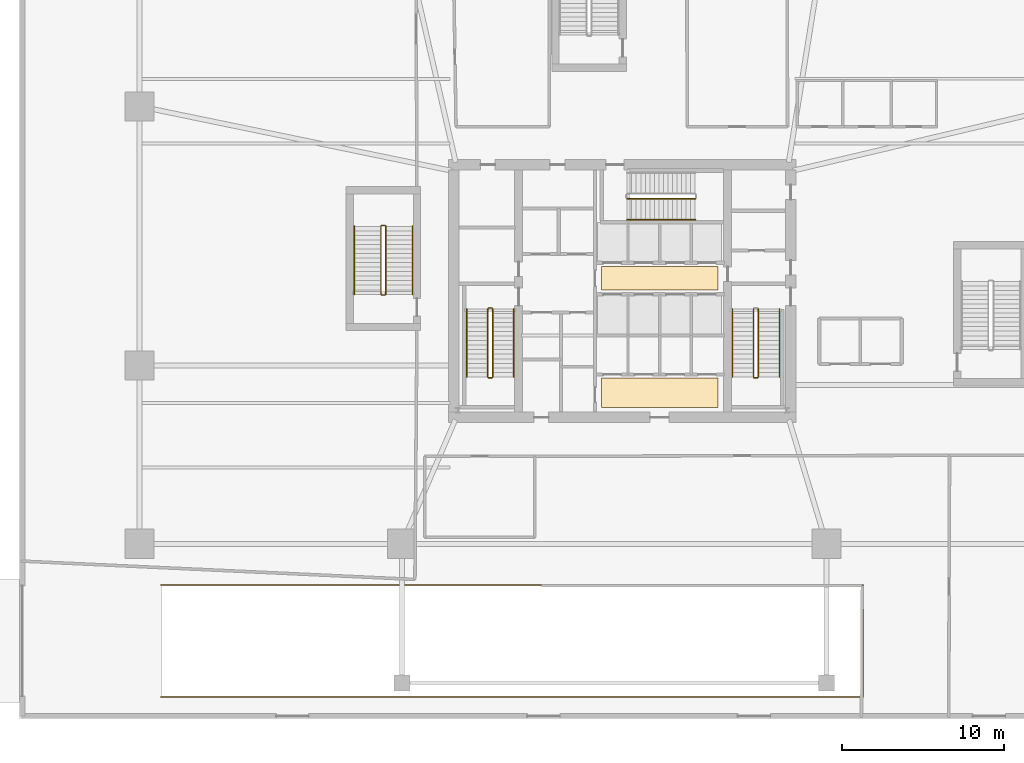
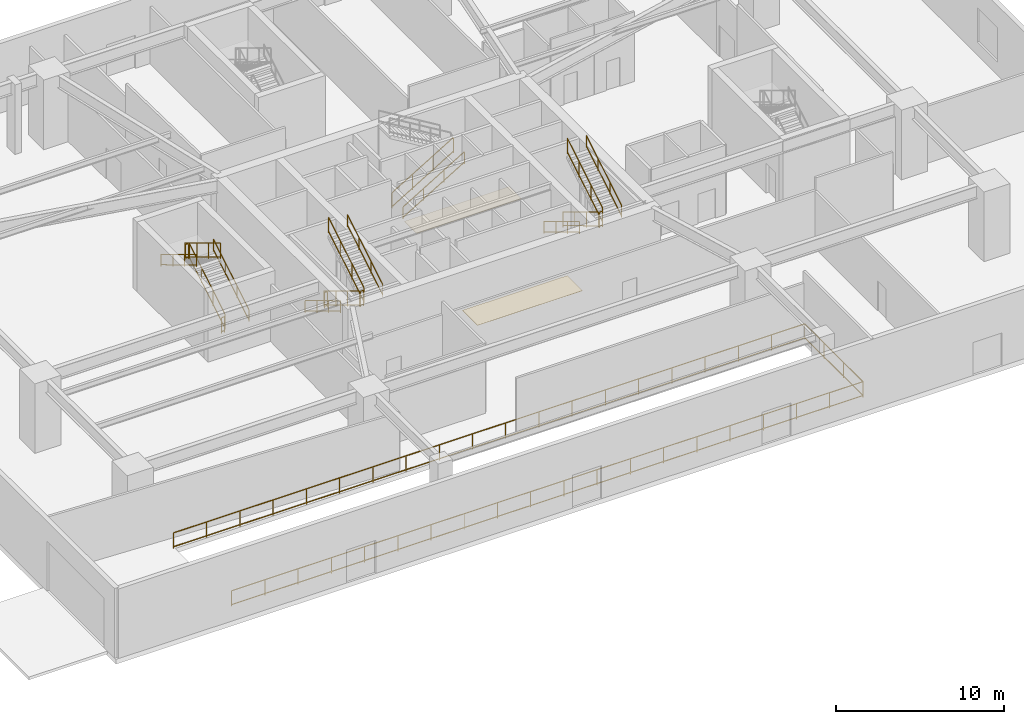
# One storey, part 10 of 13: 20 railings, 2 coverings.
"""IFC4 building model written with IfcOpenShell, lengths in metres."""

from ifc_helpers import new_model, si_unit, direction, frame, origin, origin_2d, place, context, subcontext, project, spatial, rectangle, extrude, material, layer, layer_set, type_object, element, save


model = new_model("IFC4")

# Units and contexts
model_context = context("Model", 3, precision=1e-05, world=origin(), true_north=direction((0.0, 1.0)))
body_context = subcontext(model_context, "Body", "Model", "MODEL_VIEW")
ifc_project = project(units=[si_unit("LENGTHUNIT", "METRE"), si_unit("AREAUNIT", "SQUARE_METRE"), si_unit("VOLUMEUNIT", "CUBIC_METRE"), si_unit("PLANEANGLEUNIT", "RADIAN"), si_unit("MASSUNIT", "GRAM", prefix="KILO")], contexts=[model_context])

# Site, building, storey
site_placement = place(None, origin())
site = spatial("IfcSite", under=ifc_project, at=site_placement, CompositionType="ELEMENT")
building_placement = place(site_placement, origin())
building = spatial("IfcBuilding", under=site, at=building_placement, Name="Qarnah Convention Tower", CompositionType="ELEMENT")
storey_placement = place(building_placement, origin())
storey = spatial("IfcBuildingStorey", under=building, at=storey_placement, Name="L00", CompositionType="ELEMENT", Elevation=0.0)

# Coverings
ifc_material_1 = material(Name="Mineral fibre acoustic ceiling")
ifc_layer_1 = layer(ifc_material_1, 0.02001953125)
ifc_layer_set_1 = layer_set([ifc_layer_1], Name="Mineral fibre acoustic ceiling")
covering_type_1 = type_object("IfcCoveringType", Name="COV-CEIL-20", PredefinedType="CEILING", material=ifc_layer_set_1)
covering_1_placement = place(storey_placement, frame((39.52001953125, 27.179931640625, 2.2900390625), z_axis=(0.0, 0.0, 1.0), x_axis=(1.0, 0.0, 0.0)))
element("IfcCovering", 1, at=covering_1_placement, inside=storey, type_object=covering_type_1, Name="L00 lift lobby acoustic ceiling", PredefinedType="CEILING", context=body_context, shape_type="SweptSolid", body=[
    extrude(rectangle(XDim=7.199951171875, YDim=1.449951171875, at=origin_2d()), origin(), (0.0, 0.0, 1.0), 0.02001953125),
])
ifc_material_2 = material(Name="Porcelain stone floor tile", Category="masonry")
ifc_layer_2 = layer(ifc_material_2, 0.02001953125)
ifc_layer_set_2 = layer_set([ifc_layer_2], Name="Porcelain stone floor tile")
covering_type_2 = type_object("IfcCoveringType", Name="COV-FLOOR-20", PredefinedType="FLOORING", material=ifc_layer_set_2)
covering_2_placement = place(storey_placement, frame((39.52001953125, 20.1201171875, 0.0), z_axis=(0.0, 0.0, 1.0), x_axis=(1.0, 0.0, 0.0)))
element("IfcCovering", 2, at=covering_2_placement, inside=storey, type_object=covering_type_2, Name="L00 lift lobby porcelain stone flooring", PredefinedType="FLOORING", context=body_context, shape_type="SweptSolid", body=[
    extrude(rectangle(XDim=7.199951171875, YDim=1.800048828125, at=origin_2d()), origin(), (0.0, 0.0, 1.0), 0.02001953125),
])

# Railings
ifc_material_3 = material(Name="Black anodised aluminium", Category="aluminium")
railing_type_1 = type_object("IfcRailingType", Name="RL-EXT-GUARD-1150", PredefinedType="GUARDRAIL", material=ifc_material_3)
railing_1_placement = place(storey_placement, frame((8.719970703125, 8.260009765625, 0.0)))
element("IfcRailing", 3, at=railing_1_placement, inside=storey, type_object=railing_type_1, Name="L00 vehicle ramp void safety guard", PredefinedType="GUARDRAIL", context=body_context, shape_type="SweptSolid", body=[
    extrude(rectangle(XDim=0.048095703125, YDim=0.048095703125, at=origin_2d()), frame((0.0, 0.0, 1.1259765625), z_axis=(1.0, 0.0, 0.0), x_axis=(0.0, 1.0, 0.0)), (0.0, 0.0, 1.0), 43.340087890625),
    extrude(rectangle(XDim=0.048095703125, YDim=0.048095703125, at=origin_2d()), frame((0.0, 0.0, 0.1201171875), z_axis=(1.0, 0.0, 0.0), x_axis=(0.0, 1.0, 0.0)), (0.0, 0.0, 1.0), 43.340087890625),
    extrude(rectangle(XDim=0.048095703125, YDim=0.048095703125, at=origin_2d()), frame((43.340087890625, 0.0, 1.1259765625), z_axis=(0.0, -1.0, 0.0), x_axis=(1.0, 0.0, 0.0)), (0.0, 0.0, 1.0), 6.919921875),
    extrude(rectangle(XDim=0.048095703125, YDim=0.048095703125, at=origin_2d()), frame((43.340087890625, 0.0, 0.1201171875), z_axis=(0.0, -1.0, 0.0), x_axis=(1.0, 0.0, 0.0)), (0.0, 0.0, 1.0), 6.919921875),
    extrude(rectangle(XDim=0.048095703125, YDim=0.048095703125, at=origin_2d()), frame((43.340087890625, -6.919921875, 1.1259765625), z_axis=(-1.0, 0.0, 0.0), x_axis=(0.0, -1.0, 0.0)), (0.0, 0.0, 1.0), 43.340087890625),
    extrude(rectangle(XDim=0.048095703125, YDim=0.048095703125, at=origin_2d()), frame((43.340087890625, -6.919921875, 0.1201171875), z_axis=(-1.0, 0.0, 0.0), x_axis=(0.0, -1.0, 0.0)), (0.0, 0.0, 1.0), 43.340087890625),
    extrude(rectangle(XDim=0.0419921875, YDim=0.0419921875, at=origin_2d()), origin(), (0.0, 0.0, 1.0), 1.101806640625),
    extrude(rectangle(XDim=0.0419921875, YDim=0.0419921875, at=origin_2d()), frame((2.281005859375, 0.0, 0.0)), (0.0, 0.0, 1.0), 1.101806640625),
    extrude(rectangle(XDim=0.0419921875, YDim=0.0419921875, at=origin_2d()), frame((4.56201171875, 0.0, 0.0)), (0.0, 0.0, 1.0), 1.101806640625),
    extrude(rectangle(XDim=0.0419921875, YDim=0.0419921875, at=origin_2d()), frame((6.84326171875, 0.0, 0.0)), (0.0, 0.0, 1.0), 1.101806640625),
    extrude(rectangle(XDim=0.0419921875, YDim=0.0419921875, at=origin_2d()), frame((9.124267578125, 0.0, 0.0)), (0.0, 0.0, 1.0), 1.101806640625),
    extrude(rectangle(XDim=0.0419921875, YDim=0.0419921875, at=origin_2d()), frame((11.4052734375, 0.0, 0.0)), (0.0, 0.0, 1.0), 1.101806640625),
    extrude(rectangle(XDim=0.0419921875, YDim=0.0419921875, at=origin_2d()), frame((13.686279296875, 0.0, 0.0)), (0.0, 0.0, 1.0), 1.101806640625),
    extrude(rectangle(XDim=0.0419921875, YDim=0.0419921875, at=origin_2d()), frame((15.96728515625, 0.0, 0.0)), (0.0, 0.0, 1.0), 1.101806640625),
    extrude(rectangle(XDim=0.0419921875, YDim=0.0419921875, at=origin_2d()), frame((18.24853515625, 0.0, 0.0)), (0.0, 0.0, 1.0), 1.101806640625),
    extrude(rectangle(XDim=0.0419921875, YDim=0.0419921875, at=origin_2d()), frame((20.529541015625, 0.0, 0.0)), (0.0, 0.0, 1.0), 1.101806640625),
    extrude(rectangle(XDim=0.0419921875, YDim=0.0419921875, at=origin_2d()), frame((22.810546875, 0.0, 0.0)), (0.0, 0.0, 1.0), 1.101806640625),
    extrude(rectangle(XDim=0.0419921875, YDim=0.0419921875, at=origin_2d()), frame((25.091552734375, 0.0, 0.0)), (0.0, 0.0, 1.0), 1.101806640625),
    extrude(rectangle(XDim=0.0419921875, YDim=0.0419921875, at=origin_2d()), frame((27.372802734375, 0.0, 0.0)), (0.0, 0.0, 1.0), 1.101806640625),
    extrude(rectangle(XDim=0.0419921875, YDim=0.0419921875, at=origin_2d()), frame((29.65380859375, 0.0, 0.0)), (0.0, 0.0, 1.0), 1.101806640625),
    extrude(rectangle(XDim=0.0419921875, YDim=0.0419921875, at=origin_2d()), frame((31.934814453125, 0.0, 0.0)), (0.0, 0.0, 1.0), 1.101806640625),
    extrude(rectangle(XDim=0.0419921875, YDim=0.0419921875, at=origin_2d()), frame((34.2158203125, 0.0, 0.0)), (0.0, 0.0, 1.0), 1.101806640625),
    extrude(rectangle(XDim=0.0419921875, YDim=0.0419921875, at=origin_2d()), frame((36.496826171875, 0.0, 0.0)), (0.0, 0.0, 1.0), 1.101806640625),
    extrude(rectangle(XDim=0.0419921875, YDim=0.0419921875, at=origin_2d()), frame((38.778076171875, 0.0, 0.0)), (0.0, 0.0, 1.0), 1.101806640625),
    extrude(rectangle(XDim=0.0419921875, YDim=0.0419921875, at=origin_2d()), frame((41.05908203125, 0.0, 0.0)), (0.0, 0.0, 1.0), 1.101806640625),
    extrude(rectangle(XDim=0.0419921875, YDim=0.0419921875, at=origin_2d()), frame((43.340087890625, 0.0, 0.0)), (0.0, 0.0, 1.0), 1.101806640625),
    extrude(rectangle(XDim=0.0419921875, YDim=0.0419921875, at=origin_2d()), frame((43.340087890625, -2.306640625, 0.0)), (0.0, 0.0, 1.0), 1.101806640625),
    extrude(rectangle(XDim=0.0419921875, YDim=0.0419921875, at=origin_2d()), frame((43.340087890625, -4.61328125, 0.0)), (0.0, 0.0, 1.0), 1.101806640625),
    extrude(rectangle(XDim=0.0419921875, YDim=0.0419921875, at=origin_2d()), frame((43.340087890625, -6.919921875, 0.0)), (0.0, 0.0, 1.0), 1.101806640625),
    extrude(rectangle(XDim=0.0419921875, YDim=0.0419921875, at=origin_2d()), frame((41.05908203125, -6.919921875, 0.0)), (0.0, 0.0, 1.0), 1.101806640625),
    extrude(rectangle(XDim=0.0419921875, YDim=0.0419921875, at=origin_2d()), frame((38.778076171875, -6.919921875, 0.0)), (0.0, 0.0, 1.0), 1.101806640625),
    extrude(rectangle(XDim=0.0419921875, YDim=0.0419921875, at=origin_2d()), frame((36.496826171875, -6.919921875, 0.0)), (0.0, 0.0, 1.0), 1.101806640625),
    extrude(rectangle(XDim=0.0419921875, YDim=0.0419921875, at=origin_2d()), frame((34.2158203125, -6.919921875, 0.0)), (0.0, 0.0, 1.0), 1.101806640625),
    extrude(rectangle(XDim=0.0419921875, YDim=0.0419921875, at=origin_2d()), frame((31.934814453125, -6.919921875, 0.0)), (0.0, 0.0, 1.0), 1.101806640625),
    extrude(rectangle(XDim=0.0419921875, YDim=0.0419921875, at=origin_2d()), frame((29.65380859375, -6.919921875, 0.0)), (0.0, 0.0, 1.0), 1.101806640625),
    extrude(rectangle(XDim=0.0419921875, YDim=0.0419921875, at=origin_2d()), frame((27.372802734375, -6.919921875, 0.0)), (0.0, 0.0, 1.0), 1.101806640625),
    extrude(rectangle(XDim=0.0419921875, YDim=0.0419921875, at=origin_2d()), frame((25.091552734375, -6.919921875, 0.0)), (0.0, 0.0, 1.0), 1.101806640625),
    extrude(rectangle(XDim=0.0419921875, YDim=0.0419921875, at=origin_2d()), frame((22.810546875, -6.919921875, 0.0)), (0.0, 0.0, 1.0), 1.101806640625),
    extrude(rectangle(XDim=0.0419921875, YDim=0.0419921875, at=origin_2d()), frame((20.529541015625, -6.919921875, 0.0)), (0.0, 0.0, 1.0), 1.101806640625),
    extrude(rectangle(XDim=0.0419921875, YDim=0.0419921875, at=origin_2d()), frame((18.24853515625, -6.919921875, 0.0)), (0.0, 0.0, 1.0), 1.101806640625),
    extrude(rectangle(XDim=0.0419921875, YDim=0.0419921875, at=origin_2d()), frame((15.96728515625, -6.919921875, 0.0)), (0.0, 0.0, 1.0), 1.101806640625),
    extrude(rectangle(XDim=0.0419921875, YDim=0.0419921875, at=origin_2d()), frame((13.686279296875, -6.919921875, 0.0)), (0.0, 0.0, 1.0), 1.101806640625),
    extrude(rectangle(XDim=0.0419921875, YDim=0.0419921875, at=origin_2d()), frame((11.4052734375, -6.919921875, 0.0)), (0.0, 0.0, 1.0), 1.101806640625),
    extrude(rectangle(XDim=0.0419921875, YDim=0.0419921875, at=origin_2d()), frame((9.124267578125, -6.919921875, 0.0)), (0.0, 0.0, 1.0), 1.101806640625),
    extrude(rectangle(XDim=0.0419921875, YDim=0.0419921875, at=origin_2d()), frame((6.84326171875, -6.919921875, 0.0)), (0.0, 0.0, 1.0), 1.101806640625),
    extrude(rectangle(XDim=0.0419921875, YDim=0.0419921875, at=origin_2d()), frame((4.56201171875, -6.919921875, 0.0)), (0.0, 0.0, 1.0), 1.101806640625),
    extrude(rectangle(XDim=0.0419921875, YDim=0.0419921875, at=origin_2d()), frame((2.281005859375, -6.919921875, 0.0)), (0.0, 0.0, 1.0), 1.101806640625),
    extrude(rectangle(XDim=0.0419921875, YDim=0.0419921875, at=origin_2d()), frame((0.0, -6.919921875, 0.0)), (0.0, 0.0, 1.0), 1.101806640625),
])
ifc_material_4 = material(Name="Structural steel S355JR", Category="steel")
railing_type_2 = type_object("IfcRailingType", Name="RL-STAIR-GUARD-1150", PredefinedType="GUARDRAIL", material=ifc_material_4)
railing_2_placement = place(storey_placement, frame((28.89990234375, 25.300048828125, 0.168701171875)))
element("IfcRailing", 4, at=railing_2_placement, inside=storey, type_object=railing_type_2, Name="L00 ST-1 stair guard 1", PredefinedType="GUARDRAIL", context=body_context, shape_type="SweptSolid", body=[
    extrude(rectangle(XDim=0.048095703125, YDim=0.048095703125, at=origin_2d()), frame((0.0, 0.0, 1.1259765625), z_axis=(0.0, -0.856476492594, 0.516186030065), x_axis=(1.0, 0.0, 0.0)), (0.0, 0.0, 1.0), 4.90380859375),
    extrude(rectangle(XDim=0.048095703125, YDim=0.048095703125, at=origin_2d()), frame((0.0, 0.0, 0.1201171875), z_axis=(0.0, -0.856476492594, 0.516186030065), x_axis=(1.0, 0.0, 0.0)), (0.0, 0.0, 1.0), 4.90380859375),
    extrude(rectangle(XDim=0.0419921875, YDim=0.0419921875, at=origin_2d()), origin(), (0.0, 0.0, 1.0), 1.101806640625),
    extrude(rectangle(XDim=0.0419921875, YDim=0.0419921875, at=origin_2d()), frame((0.0, -1.39990234375, 0.84375)), (0.0, 0.0, 1.0), 1.101806640625),
    extrude(rectangle(XDim=0.0419921875, YDim=0.0419921875, at=origin_2d()), frame((0.0, -2.800048828125, 1.6875)), (0.0, 0.0, 1.0), 1.101806640625),
    extrude(rectangle(XDim=0.0419921875, YDim=0.0419921875, at=origin_2d()), frame((0.0, -4.199951171875, 2.53125)), (0.0, 0.0, 1.0), 1.101806640625),
])
railing_3_placement = place(storey_placement, frame((28.949951171875, 21.050048828125, 2.699951171875)))
element("IfcRailing", 5, at=railing_3_placement, inside=storey, type_object=railing_type_2, Name="L00 ST-1 stair guard 2", PredefinedType="GUARDRAIL", context=body_context, shape_type="SweptSolid", body=[
    extrude(rectangle(XDim=0.048095703125, YDim=0.048095703125, at=origin_2d()), frame((0.0, 0.0, 1.1259765625), z_axis=(1.0, 0.0, 0.0), x_axis=(0.0, 1.0, 0.0)), (0.0, 0.0, 1.0), 0.199951171875),
    extrude(rectangle(XDim=0.048095703125, YDim=0.048095703125, at=origin_2d()), frame((0.0, 0.0, 0.1201171875), z_axis=(1.0, 0.0, 0.0), x_axis=(0.0, 1.0, 0.0)), (0.0, 0.0, 1.0), 0.199951171875),
    extrude(rectangle(XDim=0.0419921875, YDim=0.0419921875, at=origin_2d()), origin(), (0.0, 0.0, 1.0), 1.101806640625),
    extrude(rectangle(XDim=0.0419921875, YDim=0.0419921875, at=origin_2d()), frame((0.199951171875, 0.0, 0.0)), (0.0, 0.0, 1.0), 1.101806640625),
])
railing_4_placement = place(storey_placement, frame((29.199951171875, 21.10009765625, 2.86865234375)))
element("IfcRailing", 6, at=railing_4_placement, inside=storey, type_object=railing_type_2, Name="L00 ST-1 stair guard 3", PredefinedType="GUARDRAIL", context=body_context, shape_type="SweptSolid", body=[
    extrude(rectangle(XDim=0.048095703125, YDim=0.048095703125, at=origin_2d()), frame((0.0, 0.0, 1.1259765625), z_axis=(0.0, 0.856476492594, 0.516186030065), x_axis=(-1.0, 0.0, 0.0)), (0.0, 0.0, 1.0), 4.90380859375),
    extrude(rectangle(XDim=0.048095703125, YDim=0.048095703125, at=origin_2d()), frame((0.0, 0.0, 0.1201171875), z_axis=(0.0, 0.856476492594, 0.516186030065), x_axis=(-1.0, 0.0, 0.0)), (0.0, 0.0, 1.0), 4.90380859375),
    extrude(rectangle(XDim=0.0419921875, YDim=0.0419921875, at=origin_2d()), origin(), (0.0, 0.0, 1.0), 1.101806640625),
    extrude(rectangle(XDim=0.0419921875, YDim=0.0419921875, at=origin_2d()), frame((0.0, 1.39990234375, 0.84375)), (0.0, 0.0, 1.0), 1.101806640625),
    extrude(rectangle(XDim=0.0419921875, YDim=0.0419921875, at=origin_2d()), frame((0.0, 2.800048828125, 1.6875)), (0.0, 0.0, 1.0), 1.101806640625),
    extrude(rectangle(XDim=0.0419921875, YDim=0.0419921875, at=origin_2d()), frame((0.0, 4.199951171875, 2.53125)), (0.0, 0.0, 1.0), 1.101806640625),
])
railing_5_placement = place(storey_placement, frame((28.949951171875, 25.35009765625, 0.0)))
element("IfcRailing", 7, at=railing_5_placement, inside=storey, type_object=railing_type_2, Name="L00 ST-1 stair guard 4", PredefinedType="GUARDRAIL", context=body_context, shape_type="SweptSolid", body=[
    extrude(rectangle(XDim=0.048095703125, YDim=0.048095703125, at=origin_2d()), frame((0.0, 0.0, 1.1259765625), z_axis=(1.0, 0.0, 0.0), x_axis=(0.0, 1.0, 0.0)), (0.0, 0.0, 1.0), 0.199951171875),
    extrude(rectangle(XDim=0.048095703125, YDim=0.048095703125, at=origin_2d()), frame((0.0, 0.0, 0.1201171875), z_axis=(1.0, 0.0, 0.0), x_axis=(0.0, 1.0, 0.0)), (0.0, 0.0, 1.0), 0.199951171875),
    extrude(rectangle(XDim=0.0419921875, YDim=0.0419921875, at=origin_2d()), origin(), (0.0, 0.0, 1.0), 1.101806640625),
    extrude(rectangle(XDim=0.0419921875, YDim=0.0419921875, at=origin_2d()), frame((0.199951171875, 0.0, 0.0)), (0.0, 0.0, 1.0), 1.101806640625),
])
railing_6_placement = place(storey_placement, frame((45.300048828125, 25.300048828125, 0.168701171875)))
element("IfcRailing", 8, at=railing_6_placement, inside=storey, type_object=railing_type_2, Name="L00 ST-2 stair guard 1", PredefinedType="GUARDRAIL", context=body_context, shape_type="SweptSolid", body=[
    extrude(rectangle(XDim=0.048095703125, YDim=0.048095703125, at=origin_2d()), frame((0.0, 0.0, 1.1259765625), z_axis=(0.0, -0.856476492594, 0.516186030065), x_axis=(1.0, 0.0, 0.0)), (0.0, 0.0, 1.0), 4.90380859375),
    extrude(rectangle(XDim=0.048095703125, YDim=0.048095703125, at=origin_2d()), frame((0.0, 0.0, 0.1201171875), z_axis=(0.0, -0.856476492594, 0.516186030065), x_axis=(1.0, 0.0, 0.0)), (0.0, 0.0, 1.0), 4.90380859375),
    extrude(rectangle(XDim=0.0419921875, YDim=0.0419921875, at=origin_2d()), origin(), (0.0, 0.0, 1.0), 1.101806640625),
    extrude(rectangle(XDim=0.0419921875, YDim=0.0419921875, at=origin_2d()), frame((0.0, -1.39990234375, 0.84375)), (0.0, 0.0, 1.0), 1.101806640625),
    extrude(rectangle(XDim=0.0419921875, YDim=0.0419921875, at=origin_2d()), frame((0.0, -2.800048828125, 1.6875)), (0.0, 0.0, 1.0), 1.101806640625),
    extrude(rectangle(XDim=0.0419921875, YDim=0.0419921875, at=origin_2d()), frame((0.0, -4.199951171875, 2.53125)), (0.0, 0.0, 1.0), 1.101806640625),
])
railing_7_placement = place(storey_placement, frame((45.35009765625, 21.050048828125, 2.699951171875)))
element("IfcRailing", 9, at=railing_7_placement, inside=storey, type_object=railing_type_2, Name="L00 ST-2 stair guard 2", PredefinedType="GUARDRAIL", context=body_context, shape_type="SweptSolid", body=[
    extrude(rectangle(XDim=0.048095703125, YDim=0.048095703125, at=origin_2d()), frame((0.0, 0.0, 1.1259765625), z_axis=(1.0, 0.0, 0.0), x_axis=(0.0, 1.0, 0.0)), (0.0, 0.0, 1.0), 0.199951171875),
    extrude(rectangle(XDim=0.048095703125, YDim=0.048095703125, at=origin_2d()), frame((0.0, 0.0, 0.1201171875), z_axis=(1.0, 0.0, 0.0), x_axis=(0.0, 1.0, 0.0)), (0.0, 0.0, 1.0), 0.199951171875),
    extrude(rectangle(XDim=0.0419921875, YDim=0.0419921875, at=origin_2d()), origin(), (0.0, 0.0, 1.0), 1.101806640625),
    extrude(rectangle(XDim=0.0419921875, YDim=0.0419921875, at=origin_2d()), frame((0.199951171875, 0.0, 0.0)), (0.0, 0.0, 1.0), 1.101806640625),
])
railing_8_placement = place(storey_placement, frame((45.60009765625, 21.10009765625, 2.86865234375)))
element("IfcRailing", 10, at=railing_8_placement, inside=storey, type_object=railing_type_2, Name="L00 ST-2 stair guard 3", PredefinedType="GUARDRAIL", context=body_context, shape_type="SweptSolid", body=[
    extrude(rectangle(XDim=0.048095703125, YDim=0.048095703125, at=origin_2d()), frame((0.0, 0.0, 1.1259765625), z_axis=(0.0, 0.856476492594, 0.516186030065), x_axis=(-1.0, 0.0, 0.0)), (0.0, 0.0, 1.0), 4.90380859375),
    extrude(rectangle(XDim=0.048095703125, YDim=0.048095703125, at=origin_2d()), frame((0.0, 0.0, 0.1201171875), z_axis=(0.0, 0.856476492594, 0.516186030065), x_axis=(-1.0, 0.0, 0.0)), (0.0, 0.0, 1.0), 4.90380859375),
    extrude(rectangle(XDim=0.0419921875, YDim=0.0419921875, at=origin_2d()), origin(), (0.0, 0.0, 1.0), 1.101806640625),
    extrude(rectangle(XDim=0.0419921875, YDim=0.0419921875, at=origin_2d()), frame((0.0, 1.39990234375, 0.84375)), (0.0, 0.0, 1.0), 1.101806640625),
    extrude(rectangle(XDim=0.0419921875, YDim=0.0419921875, at=origin_2d()), frame((0.0, 2.800048828125, 1.6875)), (0.0, 0.0, 1.0), 1.101806640625),
    extrude(rectangle(XDim=0.0419921875, YDim=0.0419921875, at=origin_2d()), frame((0.0, 4.199951171875, 2.53125)), (0.0, 0.0, 1.0), 1.101806640625),
])
railing_9_placement = place(storey_placement, frame((37.5, 32.10009765625, 0.168701171875)))
element("IfcRailing", 11, at=railing_9_placement, inside=storey, type_object=railing_type_2, Name="L00 ST-3 stair guard 1", PredefinedType="GUARDRAIL", context=body_context, shape_type="SweptSolid", body=[
    extrude(rectangle(XDim=0.048095703125, YDim=0.048095703125, at=origin_2d()), frame((0.0, 0.0, 1.1259765625), z_axis=(0.856476492594, 0.0, 0.516186030065), x_axis=(0.0, 1.0, 0.0)), (0.0, 0.0, 1.0), 4.90380859375),
    extrude(rectangle(XDim=0.048095703125, YDim=0.048095703125, at=origin_2d()), frame((0.0, 0.0, 0.1201171875), z_axis=(0.856476492594, 0.0, 0.516186030065), x_axis=(0.0, 1.0, 0.0)), (0.0, 0.0, 1.0), 4.90380859375),
    extrude(rectangle(XDim=0.0419921875, YDim=0.0419921875, at=origin_2d()), origin(), (0.0, 0.0, 1.0), 1.101806640625),
    extrude(rectangle(XDim=0.0419921875, YDim=0.0419921875, at=origin_2d()), frame((1.39990234375, 0.0, 0.84375)), (0.0, 0.0, 1.0), 1.101806640625),
    extrude(rectangle(XDim=0.0419921875, YDim=0.0419921875, at=origin_2d()), frame((2.800048828125, 0.0, 1.6875)), (0.0, 0.0, 1.0), 1.101806640625),
    extrude(rectangle(XDim=0.0419921875, YDim=0.0419921875, at=origin_2d()), frame((4.199951171875, 0.0, 2.53125)), (0.0, 0.0, 1.0), 1.101806640625),
])
railing_10_placement = place(storey_placement, frame((22.60009765625, 26.199951171875, 0.168701171875)))
element("IfcRailing", 12, at=railing_10_placement, inside=storey, type_object=railing_type_2, Name="L00 ST-5 stair guard 1", PredefinedType="GUARDRAIL", context=body_context, shape_type="SweptSolid", body=[
    extrude(rectangle(XDim=0.048095703125, YDim=0.048095703125, at=origin_2d()), frame((0.0, 0.0, 1.1259765625), z_axis=(0.0, 0.856476492594, 0.516186030065), x_axis=(-1.0, 0.0, 0.0)), (0.0, 0.0, 1.0), 4.90380859375),
    extrude(rectangle(XDim=0.048095703125, YDim=0.048095703125, at=origin_2d()), frame((0.0, 0.0, 0.1201171875), z_axis=(0.0, 0.856476492594, 0.516186030065), x_axis=(-1.0, 0.0, 0.0)), (0.0, 0.0, 1.0), 4.90380859375),
    extrude(rectangle(XDim=0.0419921875, YDim=0.0419921875, at=origin_2d()), origin(), (0.0, 0.0, 1.0), 1.101806640625),
    extrude(rectangle(XDim=0.0419921875, YDim=0.0419921875, at=origin_2d()), frame((0.0, 1.39990234375, 0.84375)), (0.0, 0.0, 1.0), 1.101806640625),
    extrude(rectangle(XDim=0.0419921875, YDim=0.0419921875, at=origin_2d()), frame((0.0, 2.800048828125, 1.6875)), (0.0, 0.0, 1.0), 1.101806640625),
    extrude(rectangle(XDim=0.0419921875, YDim=0.0419921875, at=origin_2d()), frame((0.0, 4.199951171875, 2.53125)), (0.0, 0.0, 1.0), 1.101806640625),
])
railing_11_placement = place(storey_placement, frame((22.550048828125, 30.449951171875, 2.699951171875)))
element("IfcRailing", 13, at=railing_11_placement, inside=storey, type_object=railing_type_2, Name="L00 ST-5 stair guard 2", PredefinedType="GUARDRAIL", context=body_context, shape_type="SweptSolid", body=[
    extrude(rectangle(XDim=0.048095703125, YDim=0.048095703125, at=origin_2d()), frame((0.0, 0.0, 1.1259765625), z_axis=(-1.0, 0.0, 0.0), x_axis=(0.0, -1.0, 0.0)), (0.0, 0.0, 1.0), 0.199951171875),
    extrude(rectangle(XDim=0.048095703125, YDim=0.048095703125, at=origin_2d()), frame((0.0, 0.0, 0.1201171875), z_axis=(-1.0, 0.0, 0.0), x_axis=(0.0, -1.0, 0.0)), (0.0, 0.0, 1.0), 0.199951171875),
    extrude(rectangle(XDim=0.0419921875, YDim=0.0419921875, at=origin_2d()), origin(), (0.0, 0.0, 1.0), 1.101806640625),
    extrude(rectangle(XDim=0.0419921875, YDim=0.0419921875, at=origin_2d()), frame((-0.199951171875, 0.0, 0.0)), (0.0, 0.0, 1.0), 1.101806640625),
])
railing_12_placement = place(storey_placement, frame((22.300048828125, 30.39990234375, 2.86865234375)))
element("IfcRailing", 14, at=railing_12_placement, inside=storey, type_object=railing_type_2, Name="L00 ST-5 stair guard 3", PredefinedType="GUARDRAIL", context=body_context, shape_type="SweptSolid", body=[
    extrude(rectangle(XDim=0.048095703125, YDim=0.048095703125, at=origin_2d()), frame((0.0, 0.0, 1.1259765625), z_axis=(0.0, -0.856476492594, 0.516186030065), x_axis=(1.0, 0.0, 0.0)), (0.0, 0.0, 1.0), 4.90380859375),
    extrude(rectangle(XDim=0.048095703125, YDim=0.048095703125, at=origin_2d()), frame((0.0, 0.0, 0.1201171875), z_axis=(0.0, -0.856476492594, 0.516186030065), x_axis=(1.0, 0.0, 0.0)), (0.0, 0.0, 1.0), 4.90380859375),
    extrude(rectangle(XDim=0.0419921875, YDim=0.0419921875, at=origin_2d()), origin(), (0.0, 0.0, 1.0), 1.101806640625),
    extrude(rectangle(XDim=0.0419921875, YDim=0.0419921875, at=origin_2d()), frame((0.0, -1.39990234375, 0.84375)), (0.0, 0.0, 1.0), 1.101806640625),
    extrude(rectangle(XDim=0.0419921875, YDim=0.0419921875, at=origin_2d()), frame((0.0, -2.800048828125, 1.6875)), (0.0, 0.0, 1.0), 1.101806640625),
    extrude(rectangle(XDim=0.0419921875, YDim=0.0419921875, at=origin_2d()), frame((0.0, -4.199951171875, 2.53125)), (0.0, 0.0, 1.0), 1.101806640625),
])
railing_13_placement = place(storey_placement, frame((22.550048828125, 26.14990234375, 0.0)))
element("IfcRailing", 15, at=railing_13_placement, inside=storey, type_object=railing_type_2, Name="L00 ST-5 stair guard 4", PredefinedType="GUARDRAIL", context=body_context, shape_type="SweptSolid", body=[
    extrude(rectangle(XDim=0.048095703125, YDim=0.048095703125, at=origin_2d()), frame((0.0, 0.0, 1.1259765625), z_axis=(-1.0, 0.0, 0.0), x_axis=(0.0, -1.0, 0.0)), (0.0, 0.0, 1.0), 0.199951171875),
    extrude(rectangle(XDim=0.048095703125, YDim=0.048095703125, at=origin_2d()), frame((0.0, 0.0, 0.1201171875), z_axis=(-1.0, 0.0, 0.0), x_axis=(0.0, -1.0, 0.0)), (0.0, 0.0, 1.0), 0.199951171875),
    extrude(rectangle(XDim=0.0419921875, YDim=0.0419921875, at=origin_2d()), origin(), (0.0, 0.0, 1.0), 1.101806640625),
    extrude(rectangle(XDim=0.0419921875, YDim=0.0419921875, at=origin_2d()), frame((-0.199951171875, 0.0, 0.0)), (0.0, 0.0, 1.0), 1.101806640625),
])
railing_type_3 = type_object("IfcRailingType", Name="RL-STAIR-HAND-900", PredefinedType="HANDRAIL", material=ifc_material_4)
railing_14_placement = place(storey_placement, frame((27.60009765625, 25.300048828125, 0.168701171875)))
element("IfcRailing", 16, at=railing_14_placement, inside=storey, type_object=railing_type_3, Name="L00 ST-1 stair handrail 1", PredefinedType="HANDRAIL", context=body_context, shape_type="SweptSolid", body=[
    extrude(rectangle(XDim=0.048095703125, YDim=0.048095703125, at=origin_2d()), frame((0.0, 0.0, 0.8759765625), z_axis=(0.0, -0.856476492594, 0.516186030065), x_axis=(1.0, 0.0, 0.0)), (0.0, 0.0, 1.0), 4.90380859375),
    extrude(rectangle(XDim=0.048095703125, YDim=0.048095703125, at=origin_2d()), frame((0.0, 0.0, 0.1201171875), z_axis=(0.0, -0.856476492594, 0.516186030065), x_axis=(1.0, 0.0, 0.0)), (0.0, 0.0, 1.0), 4.90380859375),
    extrude(rectangle(XDim=0.0419921875, YDim=0.0419921875, at=origin_2d()), origin(), (0.0, 0.0, 1.0), 0.851806640625),
    extrude(rectangle(XDim=0.0419921875, YDim=0.0419921875, at=origin_2d()), frame((0.0, -1.39990234375, 0.84375)), (0.0, 0.0, 1.0), 0.851806640625),
    extrude(rectangle(XDim=0.0419921875, YDim=0.0419921875, at=origin_2d()), frame((0.0, -2.800048828125, 1.6875)), (0.0, 0.0, 1.0), 0.851806640625),
    extrude(rectangle(XDim=0.0419921875, YDim=0.0419921875, at=origin_2d()), frame((0.0, -4.199951171875, 2.53125)), (0.0, 0.0, 1.0), 0.851806640625),
])
railing_15_placement = place(storey_placement, frame((30.5, 21.10009765625, 2.86865234375)))
element("IfcRailing", 17, at=railing_15_placement, inside=storey, type_object=railing_type_3, Name="L00 ST-1 stair handrail 2", PredefinedType="HANDRAIL", context=body_context, shape_type="SweptSolid", body=[
    extrude(rectangle(XDim=0.048095703125, YDim=0.048095703125, at=origin_2d()), frame((0.0, 0.0, 0.8759765625), z_axis=(0.0, 0.856476492594, 0.516186030065), x_axis=(-1.0, 0.0, 0.0)), (0.0, 0.0, 1.0), 4.90380859375),
    extrude(rectangle(XDim=0.048095703125, YDim=0.048095703125, at=origin_2d()), frame((0.0, 0.0, 0.1201171875), z_axis=(0.0, 0.856476492594, 0.516186030065), x_axis=(-1.0, 0.0, 0.0)), (0.0, 0.0, 1.0), 4.90380859375),
    extrude(rectangle(XDim=0.0419921875, YDim=0.0419921875, at=origin_2d()), origin(), (0.0, 0.0, 1.0), 0.851806640625),
    extrude(rectangle(XDim=0.0419921875, YDim=0.0419921875, at=origin_2d()), frame((0.0, 1.39990234375, 0.84375)), (0.0, 0.0, 1.0), 0.851806640625),
    extrude(rectangle(XDim=0.0419921875, YDim=0.0419921875, at=origin_2d()), frame((0.0, 2.800048828125, 1.6875)), (0.0, 0.0, 1.0), 0.851806640625),
    extrude(rectangle(XDim=0.0419921875, YDim=0.0419921875, at=origin_2d()), frame((0.0, 4.199951171875, 2.53125)), (0.0, 0.0, 1.0), 0.851806640625),
])
railing_16_placement = place(storey_placement, frame((44.0, 25.300048828125, 0.168701171875)))
element("IfcRailing", 18, at=railing_16_placement, inside=storey, type_object=railing_type_3, Name="L00 ST-2 stair handrail 1", PredefinedType="HANDRAIL", context=body_context, shape_type="SweptSolid", body=[
    extrude(rectangle(XDim=0.048095703125, YDim=0.048095703125, at=origin_2d()), frame((0.0, 0.0, 0.8759765625), z_axis=(0.0, -0.856476492594, 0.516186030065), x_axis=(1.0, 0.0, 0.0)), (0.0, 0.0, 1.0), 4.90380859375),
    extrude(rectangle(XDim=0.048095703125, YDim=0.048095703125, at=origin_2d()), frame((0.0, 0.0, 0.1201171875), z_axis=(0.0, -0.856476492594, 0.516186030065), x_axis=(1.0, 0.0, 0.0)), (0.0, 0.0, 1.0), 4.90380859375),
    extrude(rectangle(XDim=0.0419921875, YDim=0.0419921875, at=origin_2d()), origin(), (0.0, 0.0, 1.0), 0.851806640625),
    extrude(rectangle(XDim=0.0419921875, YDim=0.0419921875, at=origin_2d()), frame((0.0, -1.39990234375, 0.84375)), (0.0, 0.0, 1.0), 0.851806640625),
    extrude(rectangle(XDim=0.0419921875, YDim=0.0419921875, at=origin_2d()), frame((0.0, -2.800048828125, 1.6875)), (0.0, 0.0, 1.0), 0.851806640625),
    extrude(rectangle(XDim=0.0419921875, YDim=0.0419921875, at=origin_2d()), frame((0.0, -4.199951171875, 2.53125)), (0.0, 0.0, 1.0), 0.851806640625),
])
railing_17_placement = place(storey_placement, frame((46.89990234375, 21.10009765625, 2.86865234375)))
element("IfcRailing", 19, at=railing_17_placement, inside=storey, type_object=railing_type_3, Name="L00 ST-2 stair handrail 2", PredefinedType="HANDRAIL", context=body_context, shape_type="SweptSolid", body=[
    extrude(rectangle(XDim=0.048095703125, YDim=0.048095703125, at=origin_2d()), frame((0.0, 0.0, 0.8759765625), z_axis=(0.0, 0.856476492594, 0.516186030065), x_axis=(-1.0, 0.0, 0.0)), (0.0, 0.0, 1.0), 4.90380859375),
    extrude(rectangle(XDim=0.048095703125, YDim=0.048095703125, at=origin_2d()), frame((0.0, 0.0, 0.1201171875), z_axis=(0.0, 0.856476492594, 0.516186030065), x_axis=(-1.0, 0.0, 0.0)), (0.0, 0.0, 1.0), 4.90380859375),
    extrude(rectangle(XDim=0.0419921875, YDim=0.0419921875, at=origin_2d()), origin(), (0.0, 0.0, 1.0), 0.851806640625),
    extrude(rectangle(XDim=0.0419921875, YDim=0.0419921875, at=origin_2d()), frame((0.0, 1.39990234375, 0.84375)), (0.0, 0.0, 1.0), 0.851806640625),
    extrude(rectangle(XDim=0.0419921875, YDim=0.0419921875, at=origin_2d()), frame((0.0, 2.800048828125, 1.6875)), (0.0, 0.0, 1.0), 0.851806640625),
    extrude(rectangle(XDim=0.0419921875, YDim=0.0419921875, at=origin_2d()), frame((0.0, 4.199951171875, 2.53125)), (0.0, 0.0, 1.0), 0.851806640625),
])
railing_18_placement = place(storey_placement, frame((37.5, 30.800048828125, 0.168701171875)))
element("IfcRailing", 20, at=railing_18_placement, inside=storey, type_object=railing_type_3, Name="L00 ST-3 stair handrail 1", PredefinedType="HANDRAIL", context=body_context, shape_type="SweptSolid", body=[
    extrude(rectangle(XDim=0.048095703125, YDim=0.048095703125, at=origin_2d()), frame((0.0, 0.0, 0.8759765625), z_axis=(0.856476492594, 0.0, 0.516186030065), x_axis=(0.0, 1.0, 0.0)), (0.0, 0.0, 1.0), 4.90380859375),
    extrude(rectangle(XDim=0.048095703125, YDim=0.048095703125, at=origin_2d()), frame((0.0, 0.0, 0.1201171875), z_axis=(0.856476492594, 0.0, 0.516186030065), x_axis=(0.0, 1.0, 0.0)), (0.0, 0.0, 1.0), 4.90380859375),
    extrude(rectangle(XDim=0.0419921875, YDim=0.0419921875, at=origin_2d()), origin(), (0.0, 0.0, 1.0), 0.851806640625),
    extrude(rectangle(XDim=0.0419921875, YDim=0.0419921875, at=origin_2d()), frame((1.39990234375, 0.0, 0.84375)), (0.0, 0.0, 1.0), 0.851806640625),
    extrude(rectangle(XDim=0.0419921875, YDim=0.0419921875, at=origin_2d()), frame((2.800048828125, 0.0, 1.6875)), (0.0, 0.0, 1.0), 0.851806640625),
    extrude(rectangle(XDim=0.0419921875, YDim=0.0419921875, at=origin_2d()), frame((4.199951171875, 0.0, 2.53125)), (0.0, 0.0, 1.0), 0.851806640625),
])
railing_19_placement = place(storey_placement, frame((24.25, 26.199951171875, 0.168701171875)))
element("IfcRailing", 21, at=railing_19_placement, inside=storey, type_object=railing_type_3, Name="L00 ST-5 stair handrail 1", PredefinedType="HANDRAIL", context=body_context, shape_type="SweptSolid", body=[
    extrude(rectangle(XDim=0.048095703125, YDim=0.048095703125, at=origin_2d()), frame((0.0, 0.0, 0.8759765625), z_axis=(0.0, 0.856476492594, 0.516186030065), x_axis=(-1.0, 0.0, 0.0)), (0.0, 0.0, 1.0), 4.90380859375),
    extrude(rectangle(XDim=0.048095703125, YDim=0.048095703125, at=origin_2d()), frame((0.0, 0.0, 0.1201171875), z_axis=(0.0, 0.856476492594, 0.516186030065), x_axis=(-1.0, 0.0, 0.0)), (0.0, 0.0, 1.0), 4.90380859375),
    extrude(rectangle(XDim=0.0419921875, YDim=0.0419921875, at=origin_2d()), origin(), (0.0, 0.0, 1.0), 0.851806640625),
    extrude(rectangle(XDim=0.0419921875, YDim=0.0419921875, at=origin_2d()), frame((0.0, 1.39990234375, 0.84375)), (0.0, 0.0, 1.0), 0.851806640625),
    extrude(rectangle(XDim=0.0419921875, YDim=0.0419921875, at=origin_2d()), frame((0.0, 2.800048828125, 1.6875)), (0.0, 0.0, 1.0), 0.851806640625),
    extrude(rectangle(XDim=0.0419921875, YDim=0.0419921875, at=origin_2d()), frame((0.0, 4.199951171875, 2.53125)), (0.0, 0.0, 1.0), 0.851806640625),
])
railing_20_placement = place(storey_placement, frame((20.64990234375, 30.39990234375, 2.86865234375)))
element("IfcRailing", 22, at=railing_20_placement, inside=storey, type_object=railing_type_3, Name="L00 ST-5 stair handrail 2", PredefinedType="HANDRAIL", context=body_context, shape_type="SweptSolid", body=[
    extrude(rectangle(XDim=0.048095703125, YDim=0.048095703125, at=origin_2d()), frame((0.0, 0.0, 0.8759765625), z_axis=(0.0, -0.856476492594, 0.516186030065), x_axis=(1.0, 0.0, 0.0)), (0.0, 0.0, 1.0), 4.90380859375),
    extrude(rectangle(XDim=0.048095703125, YDim=0.048095703125, at=origin_2d()), frame((0.0, 0.0, 0.1201171875), z_axis=(0.0, -0.856476492594, 0.516186030065), x_axis=(1.0, 0.0, 0.0)), (0.0, 0.0, 1.0), 4.90380859375),
    extrude(rectangle(XDim=0.0419921875, YDim=0.0419921875, at=origin_2d()), origin(), (0.0, 0.0, 1.0), 0.851806640625),
    extrude(rectangle(XDim=0.0419921875, YDim=0.0419921875, at=origin_2d()), frame((0.0, -1.39990234375, 0.84375)), (0.0, 0.0, 1.0), 0.851806640625),
    extrude(rectangle(XDim=0.0419921875, YDim=0.0419921875, at=origin_2d()), frame((0.0, -2.800048828125, 1.6875)), (0.0, 0.0, 1.0), 0.851806640625),
    extrude(rectangle(XDim=0.0419921875, YDim=0.0419921875, at=origin_2d()), frame((0.0, -4.199951171875, 2.53125)), (0.0, 0.0, 1.0), 0.851806640625),
])

save(model, "model.ifc")
